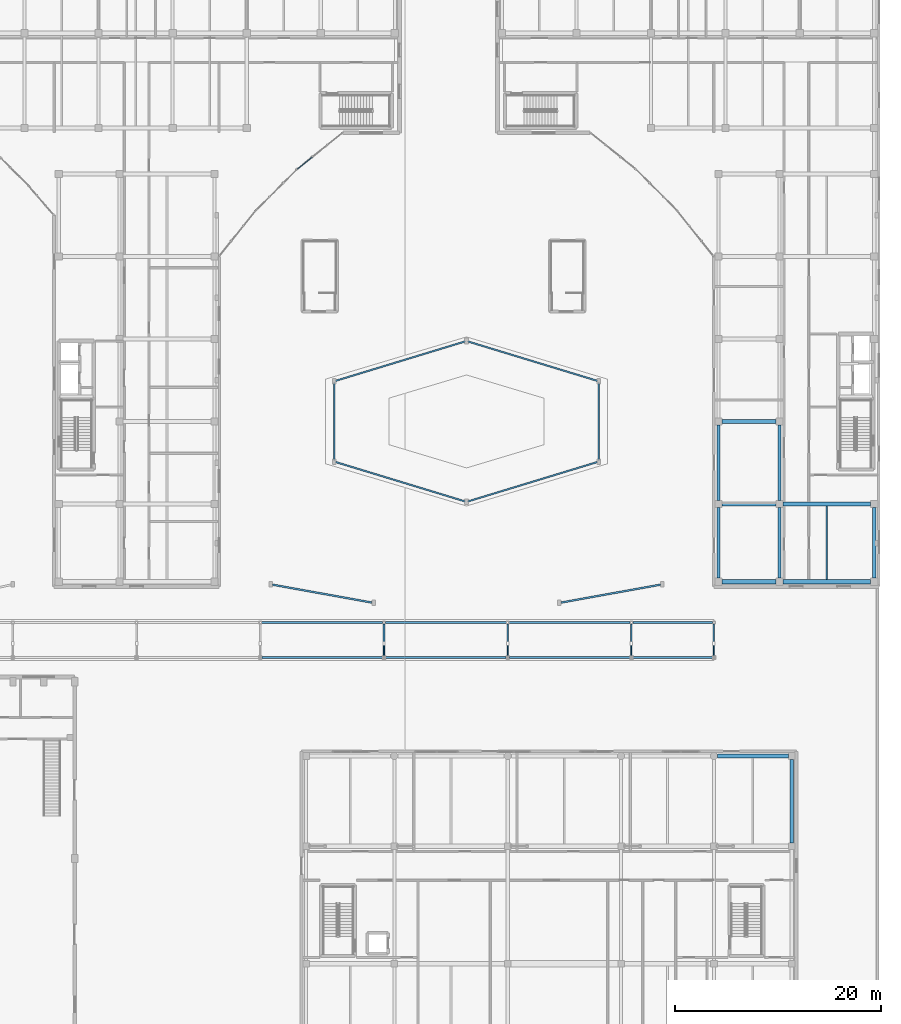
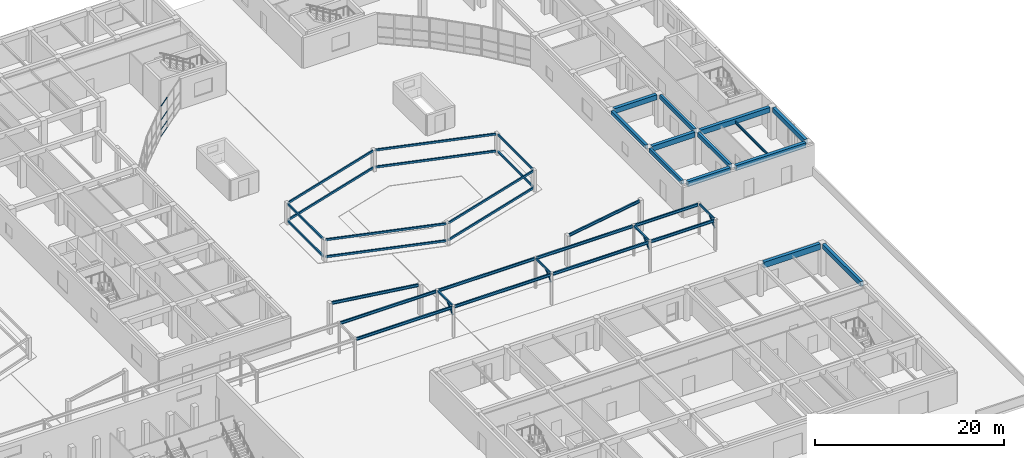
# One storey, part 49 of 114: 27 beams, 20 members, 1 element without a shape of its own.
"""IFC4 building model written with IfcOpenShell, lengths in metres."""

from ifc_helpers import new_model, si_unit, direction, frame, origin, origin_2d, place, context, subcontext, project, spatial, rectangle, hollow_rectangle, i_section, extrude, material, layer, layer_set, material_profile, profile_set, type_object, element, aggregate, save


model = new_model("IFC4")

# Units and contexts
model_context = context("Model", 3, precision=1e-05, world=origin(), true_north=direction((0.0, 1.0)))
body_context = subcontext(model_context, "Body", "Model", "MODEL_VIEW")
ifc_project = project(units=[si_unit("LENGTHUNIT", "METRE"), si_unit("AREAUNIT", "SQUARE_METRE"), si_unit("VOLUMEUNIT", "CUBIC_METRE"), si_unit("PLANEANGLEUNIT", "RADIAN"), si_unit("MASSUNIT", "GRAM", prefix="KILO")], contexts=[model_context])

# Site, building, storey
site_placement = place(None, origin())
site = spatial("IfcSite", under=ifc_project, at=site_placement, CompositionType="ELEMENT")
building_placement = place(site_placement, origin())
building = spatial("IfcBuilding", under=site, at=building_placement, Name="Keldmere Railside Commons", CompositionType="ELEMENT")
storey_placement = place(building_placement, origin())
storey = spatial("IfcBuildingStorey", under=building, at=storey_placement, Name="L00", CompositionType="ELEMENT", Elevation=0.0)

# Members
ifc_material_1 = material(Name="Steel F-36 (S355)", Category="steel")
ifc_material_profile_1 = material_profile(ifc_material_1, hollow_rectangle(XDim=0.14990234375, YDim=0.25, WallThickness=0.010009765625, at=origin_2d()), Name="RHS-250x150x10")
ifc_profile_set_1 = profile_set([ifc_material_profile_1], Name="Steel F-36 (S355)")
member_type_1 = type_object("IfcMemberType", Name="Balcony Continuous Planted Trough RHS250x150", PredefinedType="CHORD", material=ifc_profile_set_1)
for number, where, z_axis, x_axis, name in (
    (1, (131.2978515625, 68.065185546875, 0.449951171875), (0.956687137989, -0.291118051668, 0.0), (0.291118051668, 0.956687137989, 0.0), "PLT-1 MEM-HEXPLT-0081"),
    (2, (131.2978515625, 68.065185546875, 2.64990234375), (0.956687137989, -0.291118051668, 0.0), (0.291118051668, 0.956687137989, 0.0), "PLT-1 MEM-HEXPLT-0082"),
    (3, (144.11474609375, 64.23486328125, 0.449951171875), (0.956687137989, 0.291118051668, 0.0), (-0.291118051668, 0.956687137989, 0.0), "PLT-1 MEM-HEXPLT-0083"),
    (4, (144.11474609375, 64.23486328125, 2.64990234375), (0.956687137989, 0.291118051668, 0.0), (-0.291118051668, 0.956687137989, 0.0), "PLT-1 MEM-HEXPLT-0084"),
):
    element("IfcMember", number, at=place(storey_placement, frame(where, z_axis=z_axis, x_axis=x_axis)), inside=storey, type_object=member_type_1, Name=name, PredefinedType="CHORD", context=body_context, shape_type="SweptSolid", body=[
        extrude(hollow_rectangle(XDim=0.14990234375, YDim=0.25, WallThickness=0.010009765625, at=origin_2d()), origin(), (0.0, 0.0, 1.0), 13.1572265625),
    ])
for number, where, z_axis, x_axis, name in (
    (5, (156.81689453125, 68.219970703125, 0.449951171875), (0.0, 1.0, 0.0), (-1.0, 0.0, 0.0), "PLT-1 MEM-HEXPLT-0085"),
    (6, (156.81689453125, 68.219970703125, 2.64990234375), (0.0, 1.0, 0.0), (-1.0, 0.0, 0.0), "PLT-1 MEM-HEXPLT-0086"),
):
    element("IfcMember", number, at=place(storey_placement, frame(where, z_axis=z_axis, x_axis=x_axis)), inside=storey, type_object=member_type_1, Name=name, PredefinedType="CHORD", context=body_context, shape_type="SweptSolid", body=[
        extrude(hollow_rectangle(XDim=0.14990234375, YDim=0.25, WallThickness=0.010009765625, at=origin_2d()), origin(), (0.0, 0.0, 1.0), 7.56005859375),
    ])
for number, where, z_axis, x_axis, name in (
    (7, (156.7021484375, 75.934814453125, 0.449951171875), (-0.956687137989, 0.291118051668, 0.0), (-0.291118051668, -0.956687137989, 0.0), "PLT-1 MEM-HEXPLT-0087"),
    (8, (156.7021484375, 75.934814453125, 2.64990234375), (-0.956687137989, 0.291118051668, 0.0), (-0.291118051668, -0.956687137989, 0.0), "PLT-1 MEM-HEXPLT-0088"),
    (9, (143.88525390625, 79.76513671875, 0.449951171875), (-0.956687137989, -0.291118051668, 0.0), (0.291118051668, -0.956687137989, 0.0), "PLT-1 MEM-HEXPLT-0089"),
    (10, (143.88525390625, 79.76513671875, 2.64990234375), (-0.956687137989, -0.291118051668, 0.0), (0.291118051668, -0.956687137989, 0.0), "PLT-1 MEM-HEXPLT-0090"),
):
    element("IfcMember", number, at=place(storey_placement, frame(where, z_axis=z_axis, x_axis=x_axis)), inside=storey, type_object=member_type_1, Name=name, PredefinedType="CHORD", context=body_context, shape_type="SweptSolid", body=[
        extrude(hollow_rectangle(XDim=0.14990234375, YDim=0.25, WallThickness=0.010009765625, at=origin_2d()), origin(), (0.0, 0.0, 1.0), 13.1572265625),
    ])
for number, where, z_axis, x_axis, name in (
    (11, (131.18310546875, 75.780029296875, 0.449951171875), (0.0, -1.0, 0.0), (1.0, 0.0, 0.0), "PLT-1 MEM-HEXPLT-0091"),
    (12, (131.18310546875, 75.780029296875, 2.64990234375), (0.0, -1.0, 0.0), (1.0, 0.0, 0.0), "PLT-1 MEM-HEXPLT-0092"),
):
    element("IfcMember", number, at=place(storey_placement, frame(where, z_axis=z_axis, x_axis=x_axis)), inside=storey, type_object=member_type_1, Name=name, PredefinedType="CHORD", context=body_context, shape_type="SweptSolid", body=[
        extrude(hollow_rectangle(XDim=0.14990234375, YDim=0.25, WallThickness=0.010009765625, at=origin_2d()), origin(), (0.0, 0.0, 1.0), 7.56005859375),
    ])

# Beams
ifc_material_2 = material(Name="Concrete H-35 (C35/45)", Category="concrete")
ifc_material_profile_2 = material_profile(ifc_material_2, rectangle(XDim=0.39990234375, YDim=0.75, at=origin_2d()), Name="RC-400x750")
ifc_profile_set_2 = profile_set([ifc_material_profile_2], Name="Concrete H-35 (C35/45)")
beam_type_1 = type_object("IfcBeamType", Name="Civic Frame RC Girder 400x750", PredefinedType="BEAM", material=ifc_profile_set_2)
beam_1_placement = place(storey_placement, frame((168.35009765625, 39.550048828125, 3.784912109375), z_axis=(1.0, 0.0, 0.0), x_axis=(0.0, 1.0, 0.0)))
element("IfcBeam", 13, at=beam_1_placement, inside=storey, type_object=beam_type_1, Name="BG-2 BM-L00-0457", PredefinedType="BEAM", context=body_context, shape_type="SweptSolid", body=[
    extrude(rectangle(XDim=0.39990234375, YDim=0.75, at=origin_2d()), origin(), (0.0, 0.0, 1.0), 6.875),
])
ifc_material_profile_3 = material_profile(ifc_material_1, i_section(OverallWidth=0.169921875, OverallDepth=0.360107421875, WebThickness=0.008056640625, FlangeThickness=0.0126953125, at=origin_2d()), Name="IPE-360")
ifc_profile_set_3 = profile_set([ifc_material_profile_3], Name="Steel F-36 (S355)")
beam_type_2 = type_object("IfcBeamType", Name="Colonnade Canopy Girder IPE360", PredefinedType="BEAM", material=ifc_profile_set_3)
beam_2_placement = place(storey_placement, frame((124.159912109375, 49.10009765625, 3.830078125), z_axis=(1.0, 0.0, 0.0), x_axis=(0.0, 1.0, 0.0)))
element("IfcBeam", 14, at=beam_2_placement, inside=storey, type_object=beam_type_2, Name="CNB-1 BM-L00-2688", PredefinedType="BEAM", context=body_context, shape_type="SweptSolid", body=[
    extrude(i_section(OverallWidth=0.169921875, OverallDepth=0.360107421875, WebThickness=0.008056640625, FlangeThickness=0.0126953125, at=origin_2d()), origin(), (0.0, 0.0, 1.0), 11.68017578125),
])
beam_3_placement = place(storey_placement, frame((124.135009765625, 52.5, 3.830078125), z_axis=(1.0, 0.0, 0.0), x_axis=(0.0, 1.0, 0.0)))
element("IfcBeam", 15, at=beam_3_placement, inside=storey, type_object=beam_type_2, Name="CNB-1 BM-L00-2689", PredefinedType="BEAM", context=body_context, shape_type="SweptSolid", body=[
    extrude(i_section(OverallWidth=0.169921875, OverallDepth=0.360107421875, WebThickness=0.008056640625, FlangeThickness=0.0126953125, at=origin_2d()), origin(), (0.0, 0.0, 1.0), 11.72998046875),
])
beam_4_placement = place(storey_placement, frame((136.159912109375, 49.10009765625, 3.830078125), z_axis=(1.0, 0.0, 0.0), x_axis=(0.0, 1.0, 0.0)))
element("IfcBeam", 16, at=beam_4_placement, inside=storey, type_object=beam_type_2, Name="CNB-1 BM-L00-2690", PredefinedType="BEAM", context=body_context, shape_type="SweptSolid", body=[
    extrude(i_section(OverallWidth=0.169921875, OverallDepth=0.360107421875, WebThickness=0.008056640625, FlangeThickness=0.0126953125, at=origin_2d()), origin(), (0.0, 0.0, 1.0), 11.68017578125),
])
beam_5_placement = place(storey_placement, frame((136.135009765625, 52.5, 3.830078125), z_axis=(1.0, 0.0, 0.0), x_axis=(0.0, 1.0, 0.0)))
element("IfcBeam", 17, at=beam_5_placement, inside=storey, type_object=beam_type_2, Name="CNB-1 BM-L00-2691", PredefinedType="BEAM", context=body_context, shape_type="SweptSolid", body=[
    extrude(i_section(OverallWidth=0.169921875, OverallDepth=0.360107421875, WebThickness=0.008056640625, FlangeThickness=0.0126953125, at=origin_2d()), origin(), (0.0, 0.0, 1.0), 11.72998046875),
])
beam_6_placement = place(storey_placement, frame((148.159912109375, 49.10009765625, 3.830078125), z_axis=(1.0, 0.0, 0.0), x_axis=(0.0, 1.0, 0.0)))
element("IfcBeam", 18, at=beam_6_placement, inside=storey, type_object=beam_type_2, Name="CNB-1 BM-L00-2692", PredefinedType="BEAM", context=body_context, shape_type="SweptSolid", body=[
    extrude(i_section(OverallWidth=0.169921875, OverallDepth=0.360107421875, WebThickness=0.008056640625, FlangeThickness=0.0126953125, at=origin_2d()), origin(), (0.0, 0.0, 1.0), 11.68017578125),
])
beam_7_placement = place(storey_placement, frame((148.135009765625, 52.5, 3.830078125), z_axis=(1.0, 0.0, 0.0), x_axis=(0.0, 1.0, 0.0)))
element("IfcBeam", 19, at=beam_7_placement, inside=storey, type_object=beam_type_2, Name="CNB-1 BM-L00-2693", PredefinedType="BEAM", context=body_context, shape_type="SweptSolid", body=[
    extrude(i_section(OverallWidth=0.169921875, OverallDepth=0.360107421875, WebThickness=0.008056640625, FlangeThickness=0.0126953125, at=origin_2d()), origin(), (0.0, 0.0, 1.0), 11.72998046875),
])
beam_8_placement = place(storey_placement, frame((160.159912109375, 49.10009765625, 3.830078125), z_axis=(1.0, 0.0, 0.0), x_axis=(0.0, 1.0, 0.0)))
element("IfcBeam", 20, at=beam_8_placement, inside=storey, type_object=beam_type_2, Name="CNB-1 BM-L00-2694", PredefinedType="BEAM", context=body_context, shape_type="SweptSolid", body=[
    extrude(i_section(OverallWidth=0.169921875, OverallDepth=0.360107421875, WebThickness=0.008056640625, FlangeThickness=0.0126953125, at=origin_2d()), origin(), (0.0, 0.0, 1.0), 7.68017578125),
])
beam_9_placement = place(storey_placement, frame((160.135009765625, 52.5, 3.830078125), z_axis=(1.0, 0.0, 0.0), x_axis=(0.0, 1.0, 0.0)))
element("IfcBeam", 21, at=beam_9_placement, inside=storey, type_object=beam_type_2, Name="CNB-1 BM-L00-2695", PredefinedType="BEAM", context=body_context, shape_type="SweptSolid", body=[
    extrude(i_section(OverallWidth=0.169921875, OverallDepth=0.360107421875, WebThickness=0.008056640625, FlangeThickness=0.0126953125, at=origin_2d()), origin(), (0.0, 0.0, 1.0), 7.72998046875),
])
for number, where, z_axis, x_axis, name in (
    (22, (125.19677734375, 56.16455078125, 3.830078125), (0.984181754007, -0.177161720129, 0.0), (0.177161720129, 0.984181754007, 0.0), "CNB-1 BM-L00-2718"),
    (23, (153.19677734375, 54.435302734375, 3.830078125), (0.984181754007, 0.177161720129, 0.0), (-0.177161720129, 0.984181754007, 0.0), "CNB-1 BM-L00-2719"),
):
    element("IfcBeam", number, at=place(storey_placement, frame(where, z_axis=z_axis, x_axis=x_axis)), inside=storey, type_object=beam_type_2, Name=name, PredefinedType="BEAM", context=body_context, shape_type="SweptSolid", body=[
        extrude(i_section(OverallWidth=0.169921875, OverallDepth=0.360107421875, WebThickness=0.008056640625, FlangeThickness=0.0126953125, at=origin_2d()), origin(), (0.0, 0.0, 1.0), 9.7607421875),
    ])

# Members
ifc_material_profile_4 = material_profile(ifc_material_1, hollow_rectangle(XDim=0.1201171875, YDim=0.199951171875, WallThickness=0.008056640625, at=origin_2d()), Name="RHS-200x120x8")
ifc_profile_set_4 = profile_set([ifc_material_profile_4], Name="Steel F-36 (S355)")
member_type_2 = type_object("IfcMemberType", Name="Colonnade Canopy Raking Strut RHS200x120", PredefinedType="STRUT", material=ifc_profile_set_4)
for number, where, z_axis, x_axis, name in (
    (24, (136.0, 49.159912109375, 2.75), (0.0, 0.757989431665, 0.65226683304), (-1.0, 0.0, 0.0), "STR-1 MEM-STR-048"),
    (25, (160.0, 49.159912109375, 2.75), (0.0, 0.757989431665, 0.65226683304), (-1.0, 0.0, 0.0), "STR-1 MEM-STR-050"),
):
    element("IfcMember", number, at=place(storey_placement, frame(where, z_axis=z_axis, x_axis=x_axis)), inside=storey, type_object=member_type_2, Name=name, PredefinedType="STRUT", context=body_context, shape_type="SweptSolid", body=[
        extrude(hollow_rectangle(XDim=0.1201171875, YDim=0.199951171875, WallThickness=0.008056640625, at=origin_2d()), origin(), (0.0, 0.0, 1.0), 1.701904296875),
    ])

# Beams
ifc_material_profile_5 = material_profile(ifc_material_1, hollow_rectangle(XDim=0.14990234375, YDim=0.25, WallThickness=0.010009765625, at=origin_2d()), Name="RHS-250x150x10")
ifc_profile_set_5 = profile_set([ifc_material_profile_5], Name="Steel F-36 (S355)")
beam_type_3 = type_object("IfcBeamType", Name="Colonnade Transverse Tie RHS250x150", PredefinedType="BEAM", material=ifc_profile_set_5)
for number, where, z_axis, x_axis, name in (
    (26, (136.0, 49.260009765625, 3.8798828125), (0.0, 1.0, 0.0), (-1.0, 0.0, 0.0), "CNB-2 BM-L00-2706"),
    (27, (148.0, 49.260009765625, 3.8798828125), (0.0, 1.0, 0.0), (-1.0, 0.0, 0.0), "CNB-2 BM-L00-2707"),
    (28, (160.0, 49.260009765625, 3.8798828125), (0.0, 1.0, 0.0), (-1.0, 0.0, 0.0), "CNB-2 BM-L00-2708"),
    (29, (168.0, 49.260009765625, 3.8798828125), (0.0, 1.0, 0.0), (-1.0, 0.0, 0.0), "CNB-2 BM-L00-2709"),
):
    element("IfcBeam", number, at=place(storey_placement, frame(where, z_axis=z_axis, x_axis=x_axis)), inside=storey, type_object=beam_type_3, Name=name, PredefinedType="BEAM", context=body_context, shape_type="SweptSolid", body=[
        extrude(hollow_rectangle(XDim=0.14990234375, YDim=0.25, WallThickness=0.010009765625, at=origin_2d()), origin(), (0.0, 0.0, 1.0), 3.10498046875),
    ])

# Members
ifc_material_profile_6 = material_profile(ifc_material_1, hollow_rectangle(XDim=0.10009765625, YDim=0.159912109375, WallThickness=0.008056640625, at=origin_2d()), Name="RHS-160x100x8")
ifc_profile_set_6 = profile_set([ifc_material_profile_6], Name="Steel F-36 (S355)")
member_type_3 = type_object("IfcMemberType", Name="Entrance Marquee Strut RHS160x100", PredefinedType="STRUT", material=ifc_profile_set_6)
for number, where, z_axis, x_axis, name in (
    (30, (148.0, 49.159912109375, 2.75), (0.0, 0.757989431665, 0.65226683304), (-1.0, 0.0, 0.0), "STR-2 MEM-STR-049"),
    (31, (168.0, 49.159912109375, 2.75), (0.0, 0.757989431665, 0.65226683304), (-1.0, 0.0, 0.0), "STR-2 MEM-STR-051"),
):
    element("IfcMember", number, at=place(storey_placement, frame(where, z_axis=z_axis, x_axis=x_axis)), inside=storey, type_object=member_type_3, Name=name, PredefinedType="STRUT", context=body_context, shape_type="SweptSolid", body=[
        extrude(hollow_rectangle(XDim=0.10009765625, YDim=0.159912109375, WallThickness=0.008056640625, at=origin_2d()), origin(), (0.0, 0.0, 1.0), 1.701904296875),
    ])

# Beams
ifc_material_profile_7 = material_profile(ifc_material_1, i_section(OverallWidth=0.14990234375, OverallDepth=0.300048828125, WebThickness=0.007080078125, FlangeThickness=0.0107421875, at=origin_2d()), Name="IPE-300")
ifc_profile_set_7 = profile_set([ifc_material_profile_7], Name="Steel F-36 (S355)")
beam_type_4 = type_object("IfcBeamType", Name="Podium & Arcade Steel Joist IPE300", PredefinedType="JOIST", material=ifc_profile_set_7)
beam_10_placement = place(storey_placement, frame((178.949951171875, 56.64990234375, 3.739990234375), z_axis=(0.0, 1.0, 0.0), x_axis=(-1.0, 0.0, 0.0)))
element("IfcBeam", 32, at=beam_10_placement, inside=storey, type_object=beam_type_4, Name="JST-1 BM-L00-0698", PredefinedType="JOIST", context=body_context, shape_type="SweptSolid", body=[
    extrude(i_section(OverallWidth=0.14990234375, OverallDepth=0.300048828125, WebThickness=0.007080078125, FlangeThickness=0.0107421875, at=origin_2d()), origin(), (0.0, 0.0, 1.0), 7.150146484375),
])
ifc_material_3 = material(Name="Concrete H-30 (C30/37)", Category="concrete")
ifc_material_profile_8 = material_profile(ifc_material_3, rectangle(XDim=0.35009765625, YDim=0.60009765625, at=origin_2d()), Name="RC-350x600")
ifc_profile_set_8 = profile_set([ifc_material_profile_8], Name="Concrete H-30 (C30/37)")
beam_type_5 = type_object("IfcBeamType", Name="Residential Chord RC Beam 350x600", PredefinedType="BEAM", material=ifc_profile_set_8)
beam_11_placement = place(storey_placement, frame((175.550048828125, 31.125, 3.860107421875), z_axis=(0.0, 1.0, 0.0), x_axis=(-1.0, 0.0, 0.0)))
element("IfcBeam", 33, at=beam_11_placement, inside=storey, type_object=beam_type_5, Name="BG-4 BM-L00-0667", PredefinedType="BEAM", context=body_context, shape_type="SweptSolid", body=[
    extrude(rectangle(XDim=0.35009765625, YDim=0.60009765625, at=origin_2d()), origin(), (0.0, 0.0, 1.0), 8.10009765625),
])
beam_12_placement = place(storey_placement, frame((183.550048828125, 56.800048828125, 3.860107421875), z_axis=(0.0, 1.0, 0.0), x_axis=(-1.0, 0.0, 0.0)))
element("IfcBeam", 34, at=beam_12_placement, inside=storey, type_object=beam_type_5, Name="BG-4 BM-L00-0669", PredefinedType="BEAM", context=body_context, shape_type="SweptSolid", body=[
    extrude(rectangle(XDim=0.35009765625, YDim=0.60009765625, at=origin_2d()), origin(), (0.0, 0.0, 1.0), 6.849853515625),
])
ifc_material_profile_9 = material_profile(ifc_material_3, rectangle(XDim=0.39990234375, YDim=0.64990234375, at=origin_2d()), Name="RC-400x650")
ifc_profile_set_9 = profile_set([ifc_material_profile_9], Name="Concrete H-30 (C30/37)")
beam_type_6 = type_object("IfcBeamType", Name="Residential Spine RC Girder 400x650", PredefinedType="BEAM", material=ifc_profile_set_9)
beam_13_placement = place(storey_placement, frame((168.800048828125, 56.449951171875, 3.8349609375), z_axis=(1.0, 0.0, 0.0), x_axis=(0.0, 1.0, 0.0)))
element("IfcBeam", 35, at=beam_13_placement, inside=storey, type_object=beam_type_6, Name="BG-3 BM-L00-0465", PredefinedType="BEAM", context=body_context, shape_type="SweptSolid", body=[
    extrude(rectangle(XDim=0.39990234375, YDim=0.64990234375, at=origin_2d()), origin(), (0.0, 0.0, 1.0), 5.199951171875),
])
beam_14_placement = place(storey_placement, frame((174.699951171875, 56.449951171875, 3.8349609375), z_axis=(1.0, 0.0, 0.0), x_axis=(0.0, 1.0, 0.0)))
element("IfcBeam", 36, at=beam_14_placement, inside=storey, type_object=beam_type_6, Name="BG-3 BM-L00-0466", PredefinedType="BEAM", context=body_context, shape_type="SweptSolid", body=[
    extrude(rectangle(XDim=0.39990234375, YDim=0.64990234375, at=origin_2d()), origin(), (0.0, 0.0, 1.0), 8.5),
])
beam_15_placement = place(storey_placement, frame((168.800048828125, 64.0, 3.8349609375), z_axis=(1.0, 0.0, 0.0), x_axis=(0.0, 1.0, 0.0)))
element("IfcBeam", 37, at=beam_15_placement, inside=storey, type_object=beam_type_6, Name="BG-3 BM-L00-0473", PredefinedType="BEAM", context=body_context, shape_type="SweptSolid", body=[
    extrude(rectangle(XDim=0.39990234375, YDim=0.64990234375, at=origin_2d()), origin(), (0.0, 0.0, 1.0), 5.199951171875),
])
beam_16_placement = place(storey_placement, frame((174.699951171875, 64.0, 3.8349609375), z_axis=(1.0, 0.0, 0.0), x_axis=(0.0, 1.0, 0.0)))
element("IfcBeam", 38, at=beam_16_placement, inside=storey, type_object=beam_type_6, Name="BG-3 BM-L00-0474", PredefinedType="BEAM", context=body_context, shape_type="SweptSolid", body=[
    extrude(rectangle(XDim=0.39990234375, YDim=0.64990234375, at=origin_2d()), origin(), (0.0, 0.0, 1.0), 8.5),
])
beam_17_placement = place(storey_placement, frame((168.800048828125, 72.0, 3.8349609375), z_axis=(1.0, 0.0, 0.0), x_axis=(0.0, 1.0, 0.0)))
element("IfcBeam", 39, at=beam_17_placement, inside=storey, type_object=beam_type_6, Name="BG-3 BM-L00-0478", PredefinedType="BEAM", context=body_context, shape_type="SweptSolid", body=[
    extrude(rectangle(XDim=0.39990234375, YDim=0.64990234375, at=origin_2d()), origin(), (0.0, 0.0, 1.0), 5.199951171875),
])
ifc_material_profile_10 = material_profile(ifc_material_3, rectangle(XDim=0.300048828125, YDim=0.5, at=origin_2d()), Name="RC-300x500")
ifc_profile_set_10 = profile_set([ifc_material_profile_10], Name="Concrete H-30 (C30/37)")
beam_type_7 = type_object("IfcBeamType", Name="Secondary Frame RC Beam 300x500", PredefinedType="BEAM", material=ifc_profile_set_10)
beam_18_placement = place(storey_placement, frame((168.449951171875, 56.800048828125, 3.909912109375), z_axis=(0.0, 1.0, 0.0), x_axis=(-1.0, 0.0, 0.0)))
element("IfcBeam", 40, at=beam_18_placement, inside=storey, type_object=beam_type_7, Name="BG-5 BM-L00-0653", PredefinedType="BEAM", context=body_context, shape_type="SweptSolid", body=[
    extrude(rectangle(XDim=0.300048828125, YDim=0.5, at=origin_2d()), origin(), (0.0, 0.0, 1.0), 6.849853515625),
])
beam_19_placement = place(storey_placement, frame((168.449951171875, 64.35009765625, 3.909912109375), z_axis=(0.0, 1.0, 0.0), x_axis=(-1.0, 0.0, 0.0)))
element("IfcBeam", 41, at=beam_19_placement, inside=storey, type_object=beam_type_7, Name="BG-5 BM-L00-0654", PredefinedType="BEAM", context=body_context, shape_type="SweptSolid", body=[
    extrude(rectangle(XDim=0.300048828125, YDim=0.5, at=origin_2d()), origin(), (0.0, 0.0, 1.0), 7.2998046875),
])
beam_20_placement = place(storey_placement, frame((174.35009765625, 56.800048828125, 3.909912109375), z_axis=(0.0, 1.0, 0.0), x_axis=(-1.0, 0.0, 0.0)))
element("IfcBeam", 42, at=beam_20_placement, inside=storey, type_object=beam_type_7, Name="BG-5 BM-L00-0660", PredefinedType="BEAM", context=body_context, shape_type="SweptSolid", body=[
    extrude(rectangle(XDim=0.300048828125, YDim=0.5, at=origin_2d()), origin(), (0.0, 0.0, 1.0), 6.849853515625),
])
beam_21_placement = place(storey_placement, frame((174.35009765625, 64.35009765625, 3.909912109375), z_axis=(0.0, 1.0, 0.0), x_axis=(-1.0, 0.0, 0.0)))
element("IfcBeam", 43, at=beam_21_placement, inside=storey, type_object=beam_type_7, Name="BG-5 BM-L00-0661", PredefinedType="BEAM", context=body_context, shape_type="SweptSolid", body=[
    extrude(rectangle(XDim=0.300048828125, YDim=0.5, at=origin_2d()), origin(), (0.0, 0.0, 1.0), 7.2998046875),
])

# Curtain wall, members
ifc_material_4 = material(Name="Thermally Broken Aluminium", Category="aluminium")
ifc_layer = layer(ifc_material_4, 0.159912109375, Name="Residential Ground Entrance Lobby CW 4000x3600")
ifc_layer_set = layer_set([ifc_layer], Name="Thermally Broken Aluminium")
curtain_wall_type = type_object("IfcCurtainWallType", Name="Residential Ground Entrance Lobby CW 4000x3600", PredefinedType="NOTDEFINED", material=ifc_layer_set)
curtain_wall_placement = place(storey_placement, origin())
curtain_wall = element("IfcCurtainWall", 44, at=curtain_wall_placement, inside=storey, type_object=curtain_wall_type, Name="CW-10 CW-L00-087", PredefinedType="NOTDEFINED")
ifc_material_profile_11 = material_profile(ifc_material_4, hollow_rectangle(XDim=0.06494140625, YDim=0.1201171875, WallThickness=0.00390625, at=origin_2d()), Name="ALU-TRAN-65x120")
ifc_profile_set_11 = profile_set([ifc_material_profile_11], Name="Thermally Broken Aluminium")
member_type_4 = type_object("IfcMemberType", Name="Unitised Curtain Wall Transom 65x120", PredefinedType="USERDEFINED", material=ifc_profile_set_11)
member_1_placement = place(storey_placement, frame((129.021240234375, 97.6103515625, 0.032470703125), z_axis=(-0.779979331565, -0.625805275091, 0.0), x_axis=(0.625805275091, -0.779979331565, 0.0)))
member_1 = element("IfcMember", 45, at=member_1_placement, type_object=member_type_4, Name="CW-10 transom 3.1", ObjectType="TRANSOM", PredefinedType="USERDEFINED", context=body_context, shape_type="SweptSolid", body=[
    extrude(hollow_rectangle(XDim=0.06494140625, YDim=0.1201171875, WallThickness=0.00390625, at=origin_2d()), origin(), (0.0, 0.0, 1.0), 1.795654296875),
])
member_2_placement = place(storey_placement, frame((129.021240234375, 97.6103515625, 0.89990234375), z_axis=(-0.779979331565, -0.625805275091, 0.0), x_axis=(0.625805275091, -0.779979331565, 0.0)))
member_2 = element("IfcMember", 46, at=member_2_placement, type_object=member_type_4, Name="CW-10 transom 3.2", ObjectType="TRANSOM", PredefinedType="USERDEFINED", context=body_context, shape_type="SweptSolid", body=[
    extrude(hollow_rectangle(XDim=0.06494140625, YDim=0.1201171875, WallThickness=0.00390625, at=origin_2d()), origin(), (0.0, 0.0, 1.0), 1.795654296875),
])
member_3_placement = place(storey_placement, frame((129.021240234375, 97.6103515625, 2.14990234375), z_axis=(-0.779979331565, -0.625805275091, 0.0), x_axis=(0.625805275091, -0.779979331565, 0.0)))
member_3 = element("IfcMember", 47, at=member_3_placement, type_object=member_type_4, Name="CW-10 transom 3.3", ObjectType="TRANSOM", PredefinedType="USERDEFINED", context=body_context, shape_type="SweptSolid", body=[
    extrude(hollow_rectangle(XDim=0.06494140625, YDim=0.1201171875, WallThickness=0.00390625, at=origin_2d()), origin(), (0.0, 0.0, 1.0), 1.795654296875),
])
member_4_placement = place(storey_placement, frame((129.021240234375, 97.6103515625, 3.907470703125), z_axis=(-0.779979331565, -0.625805275091, 0.0), x_axis=(0.625805275091, -0.779979331565, 0.0)))
member_4 = element("IfcMember", 48, at=member_4_placement, type_object=member_type_4, Name="CW-10 transom 3.4", ObjectType="TRANSOM", PredefinedType="USERDEFINED", context=body_context, shape_type="SweptSolid", body=[
    extrude(hollow_rectangle(XDim=0.06494140625, YDim=0.1201171875, WallThickness=0.00390625, at=origin_2d()), origin(), (0.0, 0.0, 1.0), 1.795654296875),
])
aggregate(curtain_wall, [member_1, member_2, member_3, member_4])

save(model, "model.ifc")
